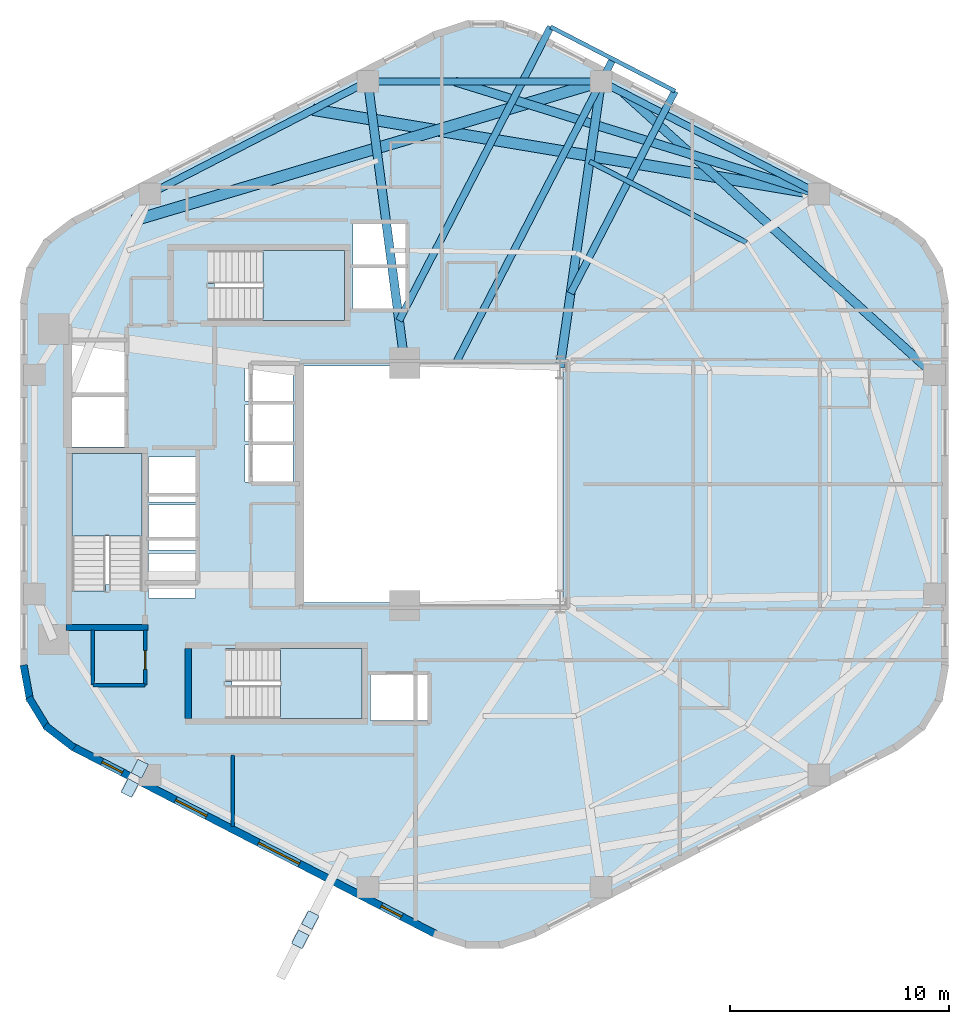
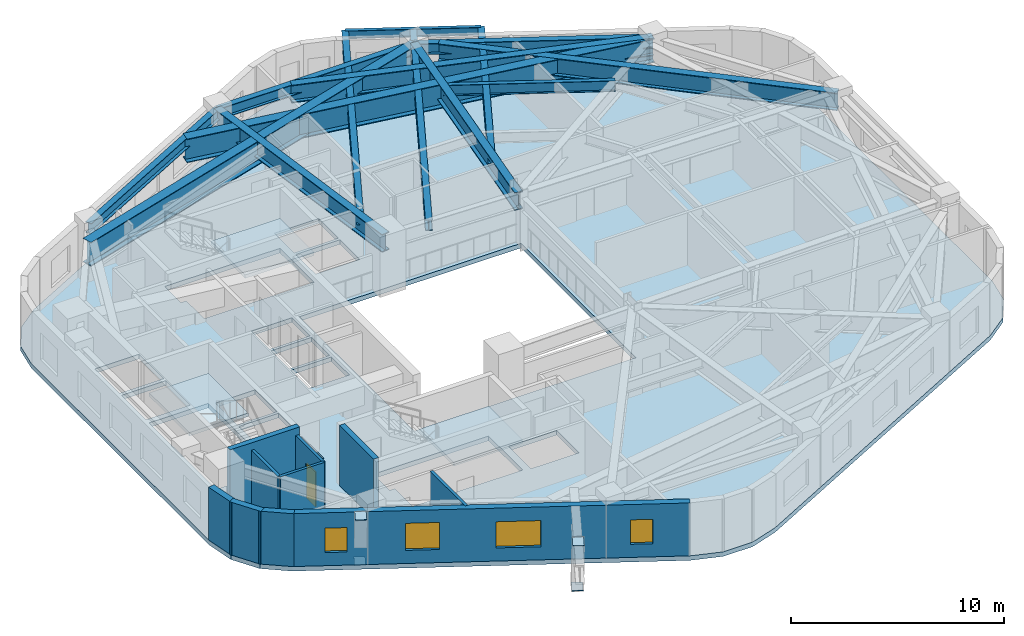
# One storey, part 2 of 7: 14 beams, 10 walls, 4 plates, 4 slabs, 4 windows, 1 door, 5 openings, 3 elements without a shape of their own.
"""IFC4 building model written with IfcOpenShell, lengths in metres."""

from ifc_helpers import new_model, si_unit, direction, frame, frame_2d, origin, origin_2d, place, context, subcontext, project, spatial, polyline, rectangle, i_section, outline, extrude, material, layer, layer_set, material_profile, profile_set, type_object, element, fill, aggregate, save


model = new_model("IFC4")

# Units and contexts
model_context = context("Model", 3, precision=1e-05, world=origin(), true_north=direction((0.0, 1.0)))
body_context = subcontext(model_context, "Body", "Model", "MODEL_VIEW")
ifc_project = project(units=[si_unit("LENGTHUNIT", "METRE"), si_unit("AREAUNIT", "SQUARE_METRE"), si_unit("VOLUMEUNIT", "CUBIC_METRE"), si_unit("PLANEANGLEUNIT", "RADIAN"), si_unit("MASSUNIT", "GRAM", prefix="KILO"), si_unit("THERMODYNAMICTEMPERATUREUNIT", "KELVIN"), si_unit("POWERUNIT", "WATT")], contexts=[model_context])

# Site, building, storey
site_placement = place(None, origin())
site = spatial("IfcSite", under=ifc_project, at=site_placement, CompositionType="ELEMENT")
building_placement = place(site_placement, origin())
building = spatial("IfcBuilding", under=site, at=building_placement, Name="Skarre Station Tower", CompositionType="ELEMENT")
storey_placement = place(building_placement, frame((0.0, 0.0, 160.199951171875)))
storey = spatial("IfcBuildingStorey", under=building, at=storey_placement, Name="L43", CompositionType="ELEMENT", Elevation=160.199951171875)

# Beams
ifc_material_1 = material(Name="Steel ASTM A572 Grade 50", Category="steel")
ifc_material_profile_1 = material_profile(ifc_material_1, i_section(OverallWidth=0.52001953125, OverallDepth=1.360107421875, WebThickness=0.02587890625, FlangeThickness=0.0380859375, at=origin_2d()), Name="Steel ASTM A572 Grade 50")
ifc_profile_set_1 = profile_set([ifc_material_profile_1], Name="Steel ASTM A572 Grade 50")
beam_type_1 = type_object("IfcBeamType", Name="Built-Up Plate Transfer Girder PG1360X520", PredefinedType="USERDEFINED", material=ifc_profile_set_1)
beam_1_placement = place(storey_placement, frame((51.291015625, 37.277099609375, 2.35009765625), z_axis=(-0.986430489739, 0.164179441203, 0.0), x_axis=(-0.164179441203, -0.986430489739, 0.0)))
element("IfcBeam", 1, at=beam_1_placement, inside=storey, type_object=beam_type_1, Name="L43 Setback Perimeter Transfer Girder F1C1", ObjectType="TRANSFER_GIRDER", PredefinedType="USERDEFINED", context=body_context, shape_type="SweptSolid", body=[
    extrude(i_section(OverallWidth=0.52001953125, OverallDepth=1.360107421875, WebThickness=0.02587890625, FlangeThickness=0.0380859375, at=origin_2d()), origin(), (0.0, 0.0, 1.0), 23.443115234375),
])
beam_2_placement = place(storey_placement, frame((41.3310546875, 42.41796875, 2.35009765625), z_axis=(-0.958463854508, -0.285214024202, 0.0), x_axis=(0.285214024202, -0.958463854508, 0.0)))
element("IfcBeam", 2, at=beam_2_placement, inside=storey, type_object=beam_type_1, Name="L43 Setback Perimeter Transfer Girder F1C2", ObjectType="TRANSFER_GIRDER", PredefinedType="USERDEFINED", context=body_context, shape_type="SweptSolid", body=[
    extrude(i_section(OverallWidth=0.52001953125, OverallDepth=1.360107421875, WebThickness=0.02587890625, FlangeThickness=0.0380859375, at=origin_2d()), origin(), (0.0, 0.0, 1.0), 22.333740234375),
])
ifc_material_2 = material(Name="Steel ASTM A992 Grade 50", Category="steel")
ifc_material_profile_2 = material_profile(ifc_material_2, i_section(OverallWidth=0.323974609375, OverallDepth=0.611083984375, WebThickness=0.012939453125, FlangeThickness=0.01904296875, at=origin_2d()), Name="Steel ASTM A992 Grade 50")
ifc_profile_set_2 = profile_set([ifc_material_profile_2], Name="Steel ASTM A992 Grade 50")
beam_type_2 = type_object("IfcBeamType", Name="Steel Beam W24X104", PredefinedType="BEAM", material=ifc_profile_set_2)
beam_3_placement = place(storey_placement, frame((34.6630859375, 29.485107421875, 2.718994140625), z_axis=(0.458629062508, 0.888627809053, 0.0), x_axis=(-0.888627809053, 0.458629062508, 0.0)))
element("IfcBeam", 3, at=beam_3_placement, inside=storey, type_object=beam_type_2, Name="L43 SG-2-L44 Center Outrigger Beam", PredefinedType="BEAM", context=body_context, shape_type="SweptSolid", body=[
    extrude(i_section(OverallWidth=0.323974609375, OverallDepth=0.611083984375, WebThickness=0.012939453125, FlangeThickness=0.01904296875, at=origin_2d()), origin(), (0.0, 0.0, 1.0), 15.707275390625),
])
beam_4_placement = place(storey_placement, frame((32.096923828125, 31.48388671875, 2.718994140625), z_axis=(0.458611225349, 0.88863701475, 0.0), x_axis=(-0.88863701475, 0.458611225349, 0.0)))
element("IfcBeam", 4, at=beam_4_placement, inside=storey, type_object=beam_type_2, Name="L43 SG-2-L44 Outrigger Beam 1", PredefinedType="BEAM", context=body_context, shape_type="SweptSolid", body=[
    extrude(i_section(OverallWidth=0.323974609375, OverallDepth=0.611083984375, WebThickness=0.012939453125, FlangeThickness=0.01904296875, at=origin_2d()), origin(), (0.0, 0.0, 1.0), 15.108642578125),
])
beam_5_placement = place(storey_placement, frame((39.93701171875, 32.73193359375, 2.718994140625), z_axis=(0.458591511493, 0.888647188476, 0.0), x_axis=(-0.888647188476, 0.458591511493, 0.0)))
element("IfcBeam", 5, at=beam_5_placement, inside=storey, type_object=beam_type_2, Name="L43 SG-2-L44 Outrigger Beam 2", PredefinedType="BEAM", context=body_context, shape_type="SweptSolid", body=[
    extrude(i_section(OverallWidth=0.323974609375, OverallDepth=0.611083984375, WebThickness=0.012939453125, FlangeThickness=0.01904296875, at=origin_2d()), origin(), (0.0, 0.0, 1.0), 10.403564453125),
])
ifc_material_profile_3 = material_profile(ifc_material_2, i_section(OverallWidth=0.19091796875, OverallDepth=0.45703125, WebThickness=0.009033203125, FlangeThickness=0.013916015625, at=origin_2d()), Name="Steel ASTM A992 Grade 50")
ifc_profile_set_3 = profile_set([ifc_material_profile_3], Name="Steel ASTM A992 Grade 50")
beam_type_3 = type_object("IfcBeamType", Name="Steel Joist W18X50", PredefinedType="JOIST", material=ifc_profile_set_3)
beam_6_placement = place(storey_placement, frame((39.02587890625, 44.909912109375, 2.796142578125), z_axis=(0.888611119601, -0.458661398116, 0.0), x_axis=(0.458661398116, 0.888611119601, 0.0)))
element("IfcBeam", 6, at=beam_6_placement, inside=storey, type_object=beam_type_3, Name="L43 SG-2-L44 Rim Beam", PredefinedType="JOIST", context=body_context, shape_type="SweptSolid", body=[
    extrude(i_section(OverallWidth=0.19091796875, OverallDepth=0.45703125, WebThickness=0.009033203125, FlangeThickness=0.013916015625, at=origin_2d()), origin(), (0.0, 0.0, 1.0), 6.394287109375),
])
ifc_material_profile_4 = material_profile(ifc_material_2, i_section(OverallWidth=0.22802734375, OverallDepth=0.60791015625, WebThickness=0.010986328125, FlangeThickness=0.01708984375, at=origin_2d()), Name="Steel ASTM A992 Grade 50")
ifc_profile_set_4 = profile_set([ifc_material_profile_4], Name="Steel ASTM A992 Grade 50")
beam_type_4 = type_object("IfcBeamType", Name="Steel Joist W24X76", PredefinedType="JOIST", material=ifc_profile_set_4)
beam_7_placement = place(storey_placement, frame((47.97607421875, 35.056884765625, 2.72607421875), z_axis=(-0.888599977053, 0.458682985057, 0.0), x_axis=(-0.458682985057, -0.888599977053, 0.0)))
element("IfcBeam", 7, at=beam_7_placement, inside=storey, type_object=beam_type_4, Name="L43 Secondary Floor Joist 2", PredefinedType="JOIST", context=body_context, shape_type="SweptSolid", body=[
    extrude(i_section(OverallWidth=0.22802734375, OverallDepth=0.60791015625, WebThickness=0.010986328125, FlangeThickness=0.01708984375, at=origin_2d()), origin(), (0.0, 0.0, 1.0), 8.0712890625),
])
ifc_material_profile_5 = material_profile(ifc_material_2, i_section(OverallWidth=0.327880859375, OverallDepth=0.6279296875, WebThickness=0.01708984375, FlangeThickness=0.028076171875, at=origin_2d()), Name="Steel ASTM A992 Grade 50")
ifc_profile_set_5 = profile_set([ifc_material_profile_5], Name="Steel ASTM A992 Grade 50")
beam_type_5 = type_object("IfcBeamType", Name="Steel Spandrel W24X146", PredefinedType="SPANDREL", material=ifc_profile_set_5)
beam_8_placement = place(storey_placement, frame((51.291015625, 37.277099609375, 2.716064453125), z_axis=(-0.888611779493, 0.458660119639, 0.0), x_axis=(-0.458660119639, -0.888611779493, 0.0)))
element("IfcBeam", 8, at=beam_8_placement, inside=storey, type_object=beam_type_5, Name="L43 Facet Spandrel Beam 1", PredefinedType="SPANDREL", context=body_context, shape_type="SweptSolid", body=[
    extrude(i_section(OverallWidth=0.327880859375, OverallDepth=0.6279296875, WebThickness=0.01708984375, FlangeThickness=0.028076171875, at=origin_2d()), origin(), (0.0, 0.0, 1.0), 11.20849609375),
])
beam_9_placement = place(storey_placement, frame((41.3310546875, 42.41796875, 2.716064453125), z_axis=(-1.0, 0.0, 0.0), x_axis=(0.0, -1.0, 0.0)))
element("IfcBeam", 9, at=beam_9_placement, inside=storey, type_object=beam_type_5, Name="L43 Facet Spandrel Beam 2", PredefinedType="SPANDREL", context=body_context, shape_type="SweptSolid", body=[
    extrude(i_section(OverallWidth=0.327880859375, OverallDepth=0.6279296875, WebThickness=0.01708984375, FlangeThickness=0.028076171875, at=origin_2d()), origin(), (0.0, 0.0, 1.0), 10.662109375),
])
beam_10_placement = place(storey_placement, frame((30.6689453125, 42.41796875, 2.716064453125), z_axis=(-0.888611779493, -0.458660119639, 0.0), x_axis=(0.458660119639, -0.888611779493, 0.0)))
element("IfcBeam", 10, at=beam_10_placement, inside=storey, type_object=beam_type_5, Name="L43 Facet Spandrel Beam 3", PredefinedType="SPANDREL", context=body_context, shape_type="SweptSolid", body=[
    extrude(i_section(OverallWidth=0.327880859375, OverallDepth=0.6279296875, WebThickness=0.01708984375, FlangeThickness=0.028076171875, at=origin_2d()), origin(), (0.0, 0.0, 1.0), 11.20849609375),
])
ifc_material_3 = material(Name="Steel ASTM A913 Grade 65", Category="steel")
ifc_material_profile_6 = material_profile(ifc_material_3, i_section(OverallWidth=0.402099609375, OverallDepth=1.008056640625, WebThickness=0.02099609375, FlangeThickness=0.0400390625, at=origin_2d()), Name="Steel ASTM A913 Grade 65")
ifc_profile_set_6 = profile_set([ifc_material_profile_6], Name="Steel ASTM A913 Grade 65")
beam_type_6 = type_object("IfcBeamType", Name="Steel Transfer Girder W40X277", PredefinedType="USERDEFINED", material=ifc_profile_set_6)
beam_11_placement = place(storey_placement, frame((56.568115234375, 29.010986328125, 2.526123046875), z_axis=(-0.740928320901, 0.671584114826, 0.0), x_axis=(-0.671584114826, -0.740928320901, 0.0)))
element("IfcBeam", 11, at=beam_11_placement, inside=storey, type_object=beam_type_6, Name="L43 Setback Perimeter Transfer Girder F0C1", ObjectType="TRANSFER_GIRDER", PredefinedType="USERDEFINED", context=body_context, shape_type="SweptSolid", body=[
    extrude(i_section(OverallWidth=0.402099609375, OverallDepth=1.008056640625, WebThickness=0.02099609375, FlangeThickness=0.0400390625, at=origin_2d()), origin(), (0.0, 0.0, 1.0), 19.166748046875),
])
beam_12_placement = place(storey_placement, frame((51.291015625, 37.277099609375, 2.526123046875), z_axis=(-0.955452023895, 0.295146455229, 0.0), x_axis=(-0.295146455229, -0.955452023895, 0.0)))
element("IfcBeam", 12, at=beam_12_placement, inside=storey, type_object=beam_type_6, Name="L43 Setback Perimeter Transfer Girder F0C2", ObjectType="TRANSFER_GIRDER", PredefinedType="USERDEFINED", context=body_context, shape_type="SweptSolid", body=[
    extrude(i_section(OverallWidth=0.402099609375, OverallDepth=1.008056640625, WebThickness=0.02099609375, FlangeThickness=0.0400390625, at=origin_2d()), origin(), (0.0, 0.0, 1.0), 17.41796875),
])
beam_13_placement = place(storey_placement, frame((39.449951171875, 29.35009765625, 2.526123046875), z_axis=(0.142480121776, 0.989797663616, 0.0), x_axis=(-0.989797663616, 0.142480121776, 0.0)))
element("IfcBeam", 13, at=beam_13_placement, inside=storey, type_object=beam_type_6, Name="L43 Radial Floor Girder F0C2", ObjectType="TRANSFER_GIRDER", PredefinedType="USERDEFINED", context=body_context, shape_type="SweptSolid", body=[
    extrude(i_section(OverallWidth=0.402099609375, OverallDepth=1.008056640625, WebThickness=0.02099609375, FlangeThickness=0.0400390625, at=origin_2d()), origin(), (0.0, 0.0, 1.0), 13.20263671875),
])
beam_14_placement = place(storey_placement, frame((32.35009765625, 29.550048828125, 2.526123046875), z_axis=(-0.129545878778, 0.991573429097, 0.0), x_axis=(-0.991573429097, -0.129545878778, 0.0)))
element("IfcBeam", 14, at=beam_14_placement, inside=storey, type_object=beam_type_6, Name="L43 Radial Floor Girder F1C1", ObjectType="TRANSFER_GIRDER", PredefinedType="USERDEFINED", context=body_context, shape_type="SweptSolid", body=[
    extrude(i_section(OverallWidth=0.402099609375, OverallDepth=1.008056640625, WebThickness=0.02099609375, FlangeThickness=0.0400390625, at=origin_2d()), origin(), (0.0, 0.0, 1.0), 12.977294921875),
])

# Plates
ifc_layer_1 = layer(ifc_material_1, 0.031982421875, Name="Steel ASTM A572 Grade 50")
ifc_layer_set_1 = layer_set([ifc_layer_1], Name="Steel ASTM A572 Grade 50")
plate_type = type_object("IfcPlateType", Name="Exoskeleton Strut Cap Plate 700x540x32", PredefinedType="USERDEFINED", material=ifc_layer_set_1)
for number, where, z_axis, x_axis, name in (
    (15, (20.2451171875, 11.0048828125, -0.2861328125), (0.0, 0.0, 1.0), (-0.458634045118, -0.888625237464, 0.0), "L43 SB-4 Exoskeleton Tier-1 Base Gusset S1"),
    (16, (19.787109375, 10.116943359375, 3.00390625), (0.0, 0.0, 1.0), (-0.458634045118, -0.888625237464, 0.0), "L43 SB-4 Exoskeleton Tier-1 Head Gusset S1"),
    (17, (28.0390625, 4.091064453125, -0.2861328125), (0.0, 0.0, 1.0), (-0.458634045118, -0.888625237464, 0.0), "L43 SB-4 Exoskeleton Tier-1 Base Gusset S2"),
    (18, (27.580078125, 3.201904296875, 3.00390625), (0.0, 0.0, 1.0), (-0.458634045118, -0.888625237464, 0.0), "L43 SB-4 Exoskeleton Tier-1 Head Gusset S2"),
):
    element("IfcPlate", number, at=place(storey_placement, frame(where, z_axis=z_axis, x_axis=x_axis)), inside=storey, type_object=plate_type, Name=name, ObjectType="STIFFENER_PLATE", PredefinedType="USERDEFINED", context=body_context, shape_type="SweptSolid", body=[
        extrude(rectangle(XDim=0.699951171875, YDim=0.5400390625, at=origin_2d()), origin(), (0.0, 0.0, 1.0), 0.031982421875),
    ])

# Stair, slab
ifc_material_4 = material(Name="Concrete C40/50", Category="concrete")
stair_type_1 = type_object("IfcStairType", Name="Reinforced Concrete Exit Stair ST-1", PredefinedType="HALF_TURN_STAIR", material=ifc_material_4)
stair_1_placement = place(storey_placement, origin())
stair_1 = element("IfcStair", 19, at=stair_1_placement, inside=storey, type_object=stair_type_1, Name="L43 Core Exit Stair ST-1", PredefinedType="HALF_TURN_STAIR")
ifc_layer_2 = layer(ifc_material_4, 0.219970703125, Name="Concrete C40/50")
ifc_layer_set_2 = layer_set([ifc_layer_2], Name="Concrete C40/50")
slab_type_1 = type_object("IfcSlabType", Name="Reinforced Concrete Stair & Ramp Landing 220", PredefinedType="LANDING", material=ifc_layer_set_2)
slab_1_placement = place(storey_placement, frame((0.0, 0.0, 1.525146484375)))
slab_1 = element("IfcSlab", 20, at=slab_1_placement, type_object=slab_type_1, Name="ST-1 landing 1", PredefinedType="LANDING", context=body_context, shape_type="SweptSolid", body=[
    extrude(outline(polyline([(20.35009765625, 21.639892578125), (20.35009765625, 25.39990234375), (17.14990234375, 25.39990234375), (17.14990234375, 21.639892578125), (20.35009765625, 21.639892578125)])), origin(), (0.0, 0.0, 1.0), 0.199951171875),
])
aggregate(stair_1, [slab_1])

stair_type_2 = type_object("IfcStairType", Name="Reinforced Concrete Exit Stair ST-2", PredefinedType="HALF_TURN_STAIR", material=ifc_material_4)
stair_2_placement = place(storey_placement, origin())
stair_2 = element("IfcStair", 21, at=stair_2_placement, inside=storey, type_object=stair_type_2, Name="L43 Core Exit Stair ST-2", PredefinedType="HALF_TURN_STAIR")
slab_2_placement = place(storey_placement, frame((0.0, 0.0, 1.525146484375)))
slab_2 = element("IfcSlab", 22, at=slab_2_placement, type_object=slab_type_1, Name="ST-2 landing 1", PredefinedType="LANDING", context=body_context, shape_type="SweptSolid", body=[
    extrude(outline(polyline([(26.669921875, 13.300048828125), (30.39990234375, 13.300048828125), (30.39990234375, 16.5), (26.669921875, 16.5), (26.669921875, 13.300048828125)])), origin(), (0.0, 0.0, 1.0), 0.199951171875),
])
aggregate(stair_2, [slab_2])

stair_type_3 = type_object("IfcStairType", Name="Reinforced Concrete Exit Stair ST-3", PredefinedType="HALF_TURN_STAIR", material=ifc_material_4)
stair_3_placement = place(storey_placement, origin())
stair_3 = element("IfcStair", 23, at=stair_3_placement, inside=storey, type_object=stair_type_3, Name="L43 Core Exit Stair ST-3", PredefinedType="HALF_TURN_STAIR")
slab_3_placement = place(storey_placement, frame((0.0, 0.0, 1.525146484375)))
slab_3 = element("IfcSlab", 24, at=slab_3_placement, type_object=slab_type_1, Name="ST-3 landing 1", PredefinedType="LANDING", context=body_context, shape_type="SweptSolid", body=[
    extrude(outline(polyline([(25.8701171875, 31.5), (29.60009765625, 31.5), (29.60009765625, 34.699951171875), (25.8701171875, 34.699951171875), (25.8701171875, 31.5)])), origin(), (0.0, 0.0, 1.0), 0.199951171875),
])
aggregate(stair_3, [slab_3])

# Slab
ifc_material_5 = material(Name="Concrete C50/60", Category="concrete")
ifc_layer_3 = layer(ifc_material_5, 0.260009765625, Name="Concrete C50/60")
ifc_layer_set_3 = layer_set([ifc_layer_3], Name="Concrete C50/60")
slab_type_2 = type_object("IfcSlabType", Name="Tower Typical Composite Floor Slab 260", PredefinedType="FLOOR", material=ifc_layer_set_3)
slab_4_placement = place(storey_placement, frame((0.0, 0.0, -0.260009765625)))
element("IfcSlab", 25, at=slab_4_placement, inside=storey, type_object=slab_type_2, Name="L43 Zone 2 Structural Floor Slab", PredefinedType="FLOOR", context=body_context, shape_type="SweptSolid", body=[
    extrude(outline(polyline([(57.218017578125, 32.35205078125), (56.93701171875, 33.873046875), (56.132080078125, 35.194091796875), (54.908935546875, 36.14111328125), (38.30908203125, 44.708984375), (36.7958984375, 45.2060546875), (35.2041015625, 45.2060546875), (33.69091796875, 44.708984375), (17.091064453125, 36.14111328125), (15.867919921875, 35.194091796875), (15.06298828125, 33.873046875), (14.781982421875, 32.35205078125), (14.781982421875, 15.64794921875), (15.06298828125, 14.126953125), (15.867919921875, 12.805908203125), (17.091064453125, 11.85888671875), (33.69091796875, 3.291015625), (35.2041015625, 2.7939453125), (36.7958984375, 2.7939453125), (38.30908203125, 3.291015625), (54.908935546875, 11.85888671875), (56.132080078125, 12.805908203125), (56.93701171875, 14.126953125), (57.218017578125, 15.64794921875), (57.218017578125, 32.35205078125)]), holes=[polyline([(18.669921875, 19.419921875), (18.669921875, 19.123046875), (17.14990234375, 19.123046875), (17.14990234375, 25.39990234375), (20.35009765625, 25.39990234375), (20.35009765625, 19.419921875), (18.669921875, 19.419921875)]), polyline([(24.449951171875, 14.97998046875), (24.153076171875, 14.97998046875), (24.153076171875, 16.5), (30.39990234375, 16.5), (30.39990234375, 13.300048828125), (24.449951171875, 13.300048828125), (24.449951171875, 14.97998046875)]), polyline([(23.64990234375, 33.179931640625), (23.35302734375, 33.179931640625), (23.35302734375, 34.699951171875), (29.60009765625, 34.699951171875), (29.60009765625, 31.5), (23.64990234375, 31.5), (23.64990234375, 33.179931640625)]), polyline([(17.14990234375, 28.0), (19.550048828125, 28.0), (19.550048828125, 25.699951171875), (17.14990234375, 25.699951171875), (17.14990234375, 28.0)]), polyline([(17.14990234375, 30.5), (19.550048828125, 30.5), (19.550048828125, 28.199951171875), (17.14990234375, 28.199951171875), (17.14990234375, 30.5)]), polyline([(30.800048828125, 15.300048828125), (33.39990234375, 15.300048828125), (33.39990234375, 13.199951171875), (30.800048828125, 13.199951171875), (30.800048828125, 15.300048828125)]), polyline([(25.050048828125, 25.800048828125), (27.25, 25.800048828125), (27.25, 24.10009765625), (25.050048828125, 24.10009765625), (25.050048828125, 25.800048828125)]), polyline([(25.050048828125, 27.64990234375), (27.25, 27.64990234375), (27.25, 25.949951171875), (25.050048828125, 25.949951171875), (25.050048828125, 27.64990234375)]), polyline([(25.050048828125, 29.5), (27.25, 29.5), (27.25, 27.800048828125), (25.050048828125, 27.800048828125), (25.050048828125, 29.5)]), polyline([(20.64990234375, 20.85009765625), (22.800048828125, 20.85009765625), (22.800048828125, 18.800048828125), (20.64990234375, 18.800048828125), (20.64990234375, 20.85009765625)]), polyline([(20.64990234375, 23.050048828125), (22.800048828125, 23.050048828125), (22.800048828125, 21.0), (20.64990234375, 21.0), (20.64990234375, 23.050048828125)]), polyline([(20.64990234375, 25.25), (22.800048828125, 25.25), (22.800048828125, 23.199951171875), (20.64990234375, 23.199951171875), (20.64990234375, 25.25)]), polyline([(30.0, 33.89990234375), (32.39990234375, 33.89990234375), (32.39990234375, 32.050048828125), (30.0, 32.050048828125), (30.0, 33.89990234375)]), polyline([(30.0, 35.89990234375), (32.39990234375, 35.89990234375), (32.39990234375, 34.050048828125), (30.0, 34.050048828125), (30.0, 35.89990234375)]), polyline([(27.60009765625, 29.39990234375), (39.60009765625, 29.39990234375), (39.60009765625, 18.60009765625), (27.60009765625, 18.60009765625), (27.60009765625, 29.39990234375)])]), origin(), (0.0, 0.0, 1.0), 0.260009765625),
])

# Walls
ifc_material_6 = material(Name="Acoustic Steel-Stud Gypsum Partition", Category="steel")
ifc_layer_4 = layer(ifc_material_6, 0.14990234375, Name="Acoustic Steel-Stud Gypsum Partition")
ifc_layer_set_4 = layer_set([ifc_layer_4], Name="Acoustic Steel-Stud Gypsum Partition")
wall_type_1 = type_object("IfcWallType", Name="Fire-Rated Corridor Acoustic Partition 150", PredefinedType="PARTITIONING", material=ifc_layer_set_4)
wall_1_placement = place(storey_placement, frame((18.10009765625, 17.340087890625, 0.0), z_axis=(0.0, 0.0, 1.0), x_axis=(0.0, -1.0, 0.0)))
element("IfcWall", 26, at=wall_1_placement, inside=storey, type_object=wall_type_1, Name="L43 Interior Partition WL-PT-L43-CSVC-W", PredefinedType="PARTITIONING", context=body_context, shape_type="SweptSolid", body=[
    extrude(rectangle(XDim=2.52001953125, YDim=0.14990234375, at=frame_2d((1.260009765625, 0.0))), origin(), (0.0, 0.0, 1.0), 3.030029296875),
])
wall_2_placement = place(storey_placement, frame((18.10009765625, 14.820068359375, 0.0), z_axis=(0.0, 0.0, 1.0), x_axis=(1.0, 0.0, 0.0)))
element("IfcWall", 27, at=wall_2_placement, inside=storey, type_object=wall_type_1, Name="L43 Interior Partition WL-PT-L43-CSVC-S", PredefinedType="PARTITIONING", context=body_context, shape_type="SweptSolid", body=[
    extrude(rectangle(XDim=2.389892578125, YDim=0.14990234375, at=frame_2d((1.19482421875, 0.0))), origin(), (0.0, 0.0, 1.0), 3.030029296875),
])

# Wall, opening, door
wall_3_placement = place(storey_placement, frame((20.489990234375, 14.820068359375, 0.0), z_axis=(0.0, 0.0, 1.0), x_axis=(0.0, 1.0, 0.0)))
wall_3 = element("IfcWall", 28, at=wall_3_placement, inside=storey, type_object=wall_type_1, Name="L43 Interior Partition WL-PT-L43-CSVC-E", PredefinedType="PARTITIONING", context=body_context, shape_type="SweptSolid", body=[
    extrude(rectangle(XDim=2.52001953125, YDim=0.14990234375, at=frame_2d((1.260009765625, 0.0))), origin(), (0.0, 0.0, 1.0), 3.030029296875),
])
opening_1_placement = place(wall_3_placement, frame((0.719970703125, 0.0, 0.0)))
opening_1 = element("IfcOpeningElement", 29, at=opening_1_placement, cuts=wall_3, Name="Opening DR-SVC86", PredefinedType="OPENING", context=body_context, shape_type="SweptSolid", body=[
    extrude(rectangle(XDim=0.860107421875, YDim=2.0, at=frame_2d((0.43017578125, 1.0))), frame((0.0, 0.0849609375, 0.0), z_axis=(0.0, -1.0, 0.0), x_axis=(1.0, 0.0, 0.0)), (0.0, 0.0, 1.0), 0.169921875),
])
ifc_material_7 = material(Name="Powder-Coated Hollow-Metal Acoustic Fire Leaf", Category="steel")
door_type = type_object("IfcDoorType", Name="Compact Riser Fire Door FD60 860x2100", OperationType="SINGLE_SWING_LEFT", PredefinedType="DOOR", material=ifc_material_7)
door_placement = place(opening_1_placement, origin())
door = element("IfcDoor", 30, at=door_placement, inside=storey, type_object=door_type, Name="L43 Core Staff Toilet Door", OperationType="SINGLE_SWING_LEFT", OverallHeight=2.0, OverallWidth=0.860107421875, PredefinedType="DOOR", context=body_context, shape_type="SweptSolid", body=[
    extrude(rectangle(XDim=0.860107421875, YDim=2.0, at=frame_2d((0.43017578125, 1.0))), frame((0.0, 0.02490234375, 0.0), z_axis=(0.0, -1.0, 0.0), x_axis=(1.0, 0.0, 0.0)), (0.0, 0.0, 1.0), 0.050048828125),
])
fill(opening_1, door)

# Wall
wall_4_placement = place(storey_placement, frame((24.5, 8.35009765625, 0.0), z_axis=(0.0, 0.0, 1.0), x_axis=(0.0, 1.0, 0.0)))
element("IfcWall", 31, at=wall_4_placement, inside=storey, type_object=wall_type_1, Name="L43 Interior Partition WL-PT-L43-SWP-M", PredefinedType="PARTITIONING", context=body_context, shape_type="SweptSolid", body=[
    extrude(rectangle(XDim=3.289794921875, YDim=0.14990234375, at=frame_2d((1.64501953125, 0.0))), origin(), (0.0, 0.0, 1.0), 3.030029296875),
])

# Wall, openings, windows
ifc_material_8 = material(Name="Precast concrete C45/55", Category="concrete")
ifc_layer_5 = layer(ifc_material_8, 0.340087890625, Name="Precast concrete C45/55")
ifc_layer_set_5 = layer_set([ifc_layer_5], Name="Precast concrete C45/55")
wall_type_2 = type_object("IfcWallType", Name="Nordic Honed Precast Facet Wall 340", PredefinedType="STANDARD", material=ifc_layer_set_5)
wall_5_placement = place(storey_placement, frame((33.76904296875, 3.44189453125, 0.0), z_axis=(0.0, 0.0, 1.0), x_axis=(-0.888613612362, 0.458656568606, 0.0)))
wall_5 = element("IfcWall", 32, at=wall_5_placement, inside=storey, type_object=wall_type_2, Name="L43 Facet 3 Nordic Precast Masonry Wall", PredefinedType="STANDARD", context=body_context, shape_type="SweptSolid", body=[
    extrude(rectangle(XDim=18.680908203125, YDim=0.340087890625, at=frame_2d((9.34033203125, 0.0))), origin(), (0.0, 0.0, 1.0), 3.030029296875),
])
opening_2_placement = place(wall_5_placement, frame((1.75, 0.0, 0.75)))
opening_2 = element("IfcOpeningElement", 33, at=opening_2_placement, cuts=wall_5, Name="Opening WN-SLT", PredefinedType="OPENING", context=body_context, shape_type="SweptSolid", body=[
    extrude(rectangle(XDim=1.050048828125, YDim=1.39990234375, at=frame_2d((0.52490234375, 0.699951171875))), frame((0.0, 0.179931640625, 0.0), z_axis=(0.0, -1.0, 0.0), x_axis=(1.0, 0.0, 0.0)), (0.0, 0.0, 1.0), 0.360107421875),
])
opening_3_placement = place(wall_5_placement, frame((7.007080078125, 0.0, 0.75)))
opening_3 = element("IfcOpeningElement", 34, at=opening_3_placement, cuts=wall_5, Name="Opening WN-Z2B", PredefinedType="OPENING", context=body_context, shape_type="SweptSolid", body=[
    extrude(rectangle(XDim=2.10009765625, YDim=1.5, at=frame_2d((1.050048828125, 0.75))), frame((0.0, 0.179931640625, 0.0), z_axis=(0.0, -1.0, 0.0), x_axis=(1.0, 0.0, 0.0)), (0.0, 0.0, 1.0), 0.360107421875),
])
opening_4_placement = place(wall_5_placement, frame((11.77392578125, 0.0, 0.75)))
opening_4 = element("IfcOpeningElement", 35, at=opening_4_placement, cuts=wall_5, Name="Opening WN-Z2A", PredefinedType="OPENING", context=body_context, shape_type="SweptSolid", body=[
    extrude(rectangle(XDim=1.60009765625, YDim=1.550048828125, at=frame_2d((0.800048828125, 0.77490234375))), frame((0.0, 0.179931640625, 0.0), z_axis=(0.0, -1.0, 0.0), x_axis=(1.0, 0.0, 0.0)), (0.0, 0.0, 1.0), 0.360107421875),
])
opening_5_placement = place(wall_5_placement, frame((16.111083984375, 0.0, 0.75)))
opening_5 = element("IfcOpeningElement", 36, at=opening_5_placement, cuts=wall_5, Name="Opening WN-SLT", PredefinedType="OPENING", context=body_context, shape_type="SweptSolid", body=[
    extrude(rectangle(XDim=1.050048828125, YDim=1.39990234375, at=frame_2d((0.52490234375, 0.699951171875))), frame((0.0, 0.179931640625, 0.0), z_axis=(0.0, -1.0, 0.0), x_axis=(1.0, 0.0, 0.0)), (0.0, 0.0, 1.0), 0.360107421875),
])
ifc_material_9 = material(Name="Low-Iron Triple Glazing with Bronze Anodized Frame", Category="glass")
window_type_1 = type_object("IfcWindowType", Name="Nordic Corner Slot Window 1050x1400", PartitioningType="SINGLE_PANEL", PredefinedType="WINDOW", material=ifc_material_9)
window_1_placement = place(opening_2_placement, origin())
window_1 = element("IfcWindow", 37, at=window_1_placement, inside=storey, type_object=window_type_1, Name="L43 Facade Window WL-FAC-L43-F3-1", OverallHeight=1.39990234375, OverallWidth=1.050048828125, PartitioningType="SINGLE_PANEL", PredefinedType="WINDOW", context=body_context, shape_type="SweptSolid", body=[
    extrude(rectangle(XDim=1.050048828125, YDim=1.39990234375, at=frame_2d((0.52490234375, 0.699951171875))), frame((0.0, 0.030029296875, 0.0), z_axis=(0.0, -1.0, 0.0), x_axis=(1.0, 0.0, 0.0)), (0.0, 0.0, 1.0), 0.06005859375),
])
fill(opening_2, window_1)
window_2_placement = place(opening_5_placement, origin())
window_2 = element("IfcWindow", 38, at=window_2_placement, inside=storey, type_object=window_type_1, Name="L43 Facade Window WL-FAC-L43-F3-4", OverallHeight=1.39990234375, OverallWidth=1.050048828125, PartitioningType="SINGLE_PANEL", PredefinedType="WINDOW", context=body_context, shape_type="SweptSolid", body=[
    extrude(rectangle(XDim=1.050048828125, YDim=1.39990234375, at=frame_2d((0.52490234375, 0.699951171875))), frame((0.0, 0.030029296875, 0.0), z_axis=(0.0, -1.0, 0.0), x_axis=(1.0, 0.0, 0.0)), (0.0, 0.0, 1.0), 0.06005859375),
])
fill(opening_5, window_2)
window_type_2 = type_object("IfcWindowType", Name="Nordic Residential Tall Window 1600x1550", PartitioningType="SINGLE_PANEL", PredefinedType="WINDOW", material=ifc_material_9)
window_3_placement = place(opening_4_placement, origin())
window_3 = element("IfcWindow", 39, at=window_3_placement, inside=storey, type_object=window_type_2, Name="L43 Facade Window WL-FAC-L43-F3-3", OverallHeight=1.550048828125, OverallWidth=1.60009765625, PartitioningType="SINGLE_PANEL", PredefinedType="WINDOW", context=body_context, shape_type="SweptSolid", body=[
    extrude(rectangle(XDim=1.60009765625, YDim=1.550048828125, at=frame_2d((0.800048828125, 0.77490234375))), frame((0.0, 0.030029296875, 0.0), z_axis=(0.0, -1.0, 0.0), x_axis=(1.0, 0.0, 0.0)), (0.0, 0.0, 1.0), 0.06005859375),
])
fill(opening_4, window_3)
window_type_3 = type_object("IfcWindowType", Name="Nordic Residential Twin Window 2100x1500", PartitioningType="SINGLE_PANEL", PredefinedType="WINDOW", material=ifc_material_9)
window_4_placement = place(opening_3_placement, origin())
window_4 = element("IfcWindow", 40, at=window_4_placement, inside=storey, type_object=window_type_3, Name="L43 Facade Window WL-FAC-L43-F3-2", OverallHeight=1.5, OverallWidth=2.10009765625, PartitioningType="SINGLE_PANEL", PredefinedType="WINDOW", context=body_context, shape_type="SweptSolid", body=[
    extrude(rectangle(XDim=2.10009765625, YDim=1.5, at=frame_2d((1.050048828125, 0.75))), frame((0.0, 0.030029296875, 0.0), z_axis=(0.0, -1.0, 0.0), x_axis=(1.0, 0.0, 0.0)), (0.0, 0.0, 1.0), 0.06005859375),
])
fill(opening_3, window_4)

# Walls
ifc_layer_6 = layer(ifc_material_8, 0.330078125, Name="Precast concrete C45/55")
ifc_layer_set_6 = layer_set([ifc_layer_6], Name="Precast concrete C45/55")
wall_type_3 = type_object("IfcWallType", Name="Nordic Rounded Corner Precast Wall 330", PredefinedType="STANDARD", material=ifc_layer_set_6)
wall_6_placement = place(storey_placement, frame((17.242919921875, 11.949951171875, 0.0), z_axis=(0.0, 0.0, 1.0), x_axis=(-0.790621329885, 0.612305408053, 0.0)))
element("IfcWall", 41, at=wall_6_placement, inside=storey, type_object=wall_type_3, Name="L43 Rounded Corner Precast Wall F3-1", PredefinedType="STANDARD", context=body_context, shape_type="SweptSolid", body=[
    extrude(rectangle(XDim=1.67578125, YDim=0.330078125, at=frame_2d((0.837890625, 0.0))), origin(), (0.0, 0.0, 1.0), 3.030029296875),
])
wall_7_placement = place(storey_placement, frame((16.04296875, 12.8359375, 0.0), z_axis=(0.0, 0.0, 1.0), x_axis=(-0.520519429557, 0.853849824883, 0.0)))
element("IfcWall", 42, at=wall_7_placement, inside=storey, type_object=wall_type_3, Name="L43 Rounded Corner Precast Wall F3-2", PredefinedType="STANDARD", context=body_context, shape_type="SweptSolid", body=[
    extrude(rectangle(XDim=1.67724609375, YDim=0.330078125, at=frame_2d((0.838623046875, 0.0))), origin(), (0.0, 0.0, 1.0), 3.030029296875),
])
wall_8_placement = place(storey_placement, frame((15.237060546875, 14.093017578125, 0.0), z_axis=(0.0, 0.0, 1.0), x_axis=(-0.181984991895, 0.983301308209, 0.0)))
element("IfcWall", 43, at=wall_8_placement, inside=storey, type_object=wall_type_3, Name="L43 Rounded Corner Precast Wall F3-3", PredefinedType="STANDARD", context=body_context, shape_type="SweptSolid", body=[
    extrude(rectangle(XDim=1.677001953125, YDim=0.330078125, at=frame_2d((0.83837890625, 0.0))), origin(), (0.0, 0.0, 1.0), 3.030029296875),
])
ifc_layer_7 = layer(ifc_material_5, 0.280029296875, Name="Concrete C50/60")
ifc_layer_set_7 = layer_set([ifc_layer_7], Name="Concrete C50/60")
wall_type_4 = type_object("IfcWallType", Name="RC Core Shear Wall 280", PredefinedType="SHEAR", material=ifc_layer_set_7)
wall_9_placement = place(storey_placement, frame((16.8701171875, 17.4599609375, 0.0), z_axis=(0.0, 0.0, 1.0), x_axis=(1.0, 0.0, 0.0)))
element("IfcWall", 44, at=wall_9_placement, inside=storey, type_object=wall_type_4, Name="L43 Stair ST-1 South Shear Wall", PredefinedType="SHEAR", context=body_context, shape_type="SweptSolid", body=[
    extrude(rectangle(XDim=3.759765625, YDim=0.280029296875, at=frame_2d((1.8798828125, 0.0))), origin(), (0.0, 0.0, 1.0), 3.449951171875),
])
wall_10_placement = place(storey_placement, frame((22.4599609375, 16.5, 0.0), z_axis=(0.0, 0.0, 1.0), x_axis=(0.0, -1.0, 0.0)))
element("IfcWall", 45, at=wall_10_placement, inside=storey, type_object=wall_type_4, Name="L43 Stair ST-2 West Shear Wall", PredefinedType="SHEAR", context=body_context, shape_type="SweptSolid", body=[
    extrude(rectangle(XDim=3.199951171875, YDim=0.280029296875, at=frame_2d((1.60009765625, 0.0))), origin(), (0.0, 0.0, 1.0), 3.449951171875),
])

save(model, "model.ifc")
